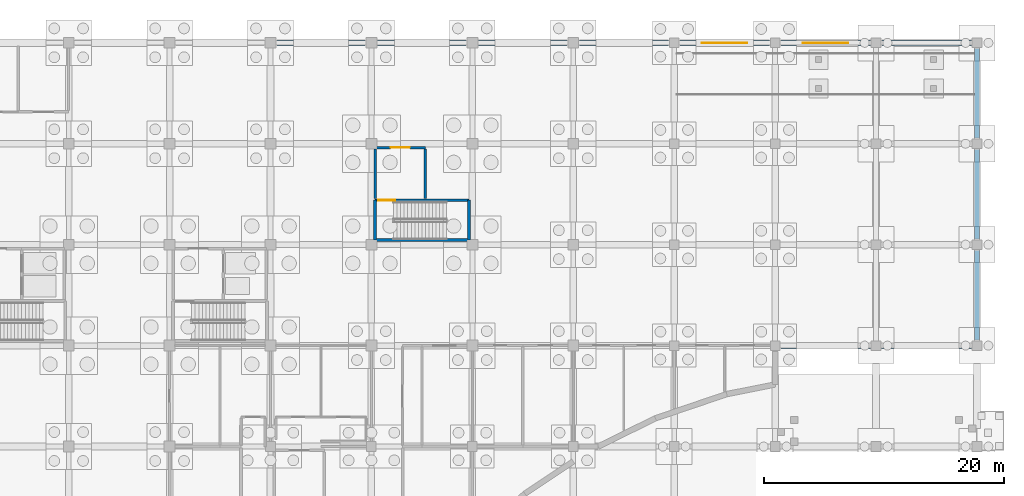
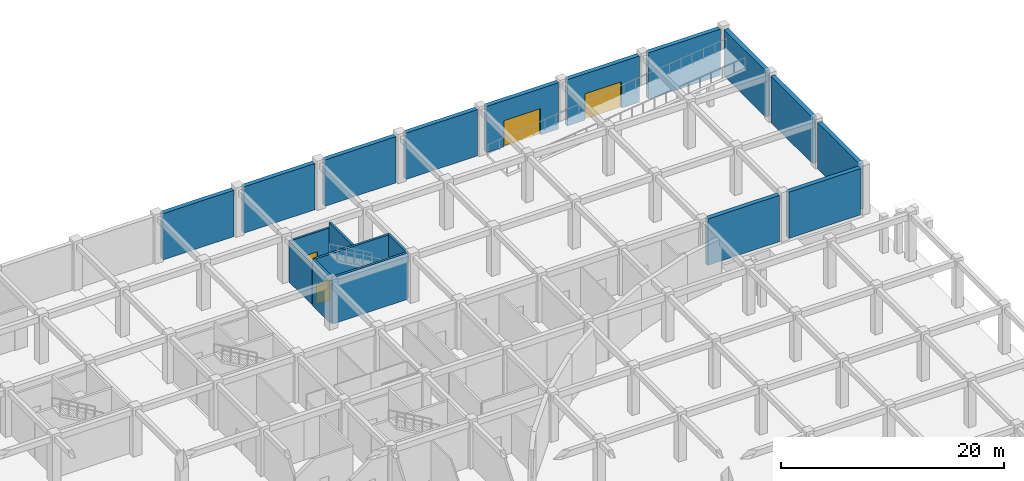
# One storey, part 50 of 65: 19 walls, 4 doors, 4 openings.
"""IFC4 building model written with IfcOpenShell, lengths in metres."""

from ifc_helpers import new_model, si_unit, direction, frame, frame_2d, origin, place, context, subcontext, project, spatial, rectangle, extrude, material, layer, layer_set, type_object, element, fill, save


model = new_model("IFC4")

# Units and contexts
model_context = context("Model", 3, precision=1e-05, world=origin(), true_north=direction((0.0, 1.0)))
body_context = subcontext(model_context, "Body", "Model", "MODEL_VIEW")
ifc_project = project(units=[si_unit("LENGTHUNIT", "METRE"), si_unit("AREAUNIT", "SQUARE_METRE"), si_unit("VOLUMEUNIT", "CUBIC_METRE"), si_unit("PLANEANGLEUNIT", "RADIAN"), si_unit("MASSUNIT", "GRAM", prefix="KILO")], contexts=[model_context])

# Site, building, storey
site_placement = place(None, origin())
site = spatial("IfcSite", under=ifc_project, at=site_placement, CompositionType="ELEMENT")
building_placement = place(site_placement, origin())
building = spatial("IfcBuilding", under=site, at=building_placement, Name="Bramfleet General Hospital", CompositionType="ELEMENT")
storey_placement = place(building_placement, frame((0.0, 0.0, -5.39990234375)))
storey = spatial("IfcBuildingStorey", under=building, at=storey_placement, Name="B1", CompositionType="ELEMENT", Elevation=-5.39990234375)

# Walls
ifc_material_1 = material(Name="Concrete C35/45", Category="concrete")
ifc_layer_1 = layer(ifc_material_1, 0.449951171875, Name="WT-EW-01")
ifc_layer_set_1 = layer_set([ifc_layer_1], Name="Concrete C35/45")
wall_type_1 = type_object("IfcWallType", Name="WT-EW-01", PredefinedType="SOLIDWALL", material=ifc_layer_set_1)
wall_1_placement = place(storey_placement, frame((126.52490234375, 117.60009765625, 0.0), z_axis=(0.0, 0.0, 1.0), x_axis=(1.0, 0.0, 0.0)))
element("IfcWall", 1, at=wall_1_placement, inside=storey, type_object=wall_type_1, Name="B1 Waterproof Retaining Wall 23", PredefinedType="SOLIDWALL", context=body_context, shape_type="SweptSolid", body=[
    extrude(rectangle(XDim=7.35009765625, YDim=0.449951171875, at=frame_2d((3.675048828125, 0.0))), origin(), (0.0, 0.0, 1.0), 5.079833984375),
])
wall_2_placement = place(storey_placement, frame((134.925048828125, 117.60009765625, 0.0), z_axis=(0.0, 0.0, 1.0), x_axis=(1.0, 0.0, 0.0)))
element("IfcWall", 2, at=wall_2_placement, inside=storey, type_object=wall_type_1, Name="B1 Waterproof Retaining Wall 24", PredefinedType="SOLIDWALL", context=body_context, shape_type="SweptSolid", body=[
    extrude(rectangle(XDim=7.349853515625, YDim=0.449951171875, at=frame_2d((3.6748046875, 0.0))), origin(), (0.0, 0.0, 1.0), 5.079833984375),
])
wall_3_placement = place(storey_placement, frame((143.324951171875, 117.60009765625, 0.0), z_axis=(0.0, 0.0, 1.0), x_axis=(1.0, 0.0, 0.0)))
element("IfcWall", 3, at=wall_3_placement, inside=storey, type_object=wall_type_1, Name="B1 Waterproof Retaining Wall 25", PredefinedType="SOLIDWALL", context=body_context, shape_type="SweptSolid", body=[
    extrude(rectangle(XDim=7.35009765625, YDim=0.449951171875, at=frame_2d((3.675048828125, 0.0))), origin(), (0.0, 0.0, 1.0), 5.079833984375),
])
wall_4_placement = place(storey_placement, frame((151.72509765625, 117.60009765625, 0.0), z_axis=(0.0, 0.0, 1.0), x_axis=(1.0, 0.0, 0.0)))
element("IfcWall", 4, at=wall_4_placement, inside=storey, type_object=wall_type_1, Name="B1 Waterproof Retaining Wall 26", PredefinedType="SOLIDWALL", context=body_context, shape_type="SweptSolid", body=[
    extrude(rectangle(XDim=7.39990234375, YDim=0.449951171875, at=frame_2d((3.699951171875, 0.0))), origin(), (0.0, 0.0, 1.0), 5.079833984375),
])

# Wall, opening, door
wall_5_placement = place(storey_placement, frame((160.074951171875, 117.60009765625, 0.0), z_axis=(0.0, 0.0, 1.0), x_axis=(1.0, 0.0, 0.0)))
wall_5 = element("IfcWall", 5, at=wall_5_placement, inside=storey, type_object=wall_type_1, Name="B1 Waterproof Retaining Wall 27", PredefinedType="SOLIDWALL", context=body_context, shape_type="SweptSolid", body=[
    extrude(rectangle(XDim=7.449951171875, YDim=0.449951171875, at=frame_2d((3.72509765625, 0.0))), origin(), (0.0, 0.0, 1.0), 5.079833984375),
])
opening_1_placement = place(wall_5_placement, frame((1.824951171875, 0.0, 0.0)))
opening_1 = element("IfcOpeningElement", 6, at=opening_1_placement, cuts=wall_5, Name="Opening VG-01", PredefinedType="OPENING", context=body_context, shape_type="SweptSolid", body=[
    extrude(rectangle(XDim=3.800048828125, YDim=2.89990234375, at=frame_2d((1.89990234375, 1.449951171875))), frame((0.0, 0.23486328125, 0.0), z_axis=(0.0, -1.0, 0.0), x_axis=(1.0, 0.0, 0.0)), (0.0, 0.0, 1.0), 0.469970703125),
])
ifc_material_2 = material(Name="Thermally broken steel and laminated safety glass", Category="steel")
door_type_1 = type_object("IfcDoorType", Name="DR-VG-T2", OperationType="NOTDEFINED", PredefinedType="GATE", material=ifc_material_2)
door_1_placement = place(opening_1_placement, origin())
door_1 = element("IfcDoor", 7, at=door_1_placement, inside=storey, type_object=door_type_1, Name="Basement Car-Park Flood Shutter Gate VG-01", OperationType="ROLLINGUP", OverallHeight=2.89990234375, OverallWidth=3.800048828125, PredefinedType="GATE", context=body_context, shape_type="SweptSolid", body=[
    extrude(rectangle(XDim=3.800048828125, YDim=2.89990234375, at=frame_2d((1.89990234375, 1.449951171875))), frame((0.0, 0.02490234375, 0.0), z_axis=(0.0, -1.0, 0.0), x_axis=(1.0, 0.0, 0.0)), (0.0, 0.0, 1.0), 0.050048828125),
])
fill(opening_1, door_1)

wall_6_placement = place(storey_placement, frame((168.47509765625, 117.60009765625, 0.0), z_axis=(0.0, 0.0, 1.0), x_axis=(1.0, 0.0, 0.0)))
wall_6 = element("IfcWall", 8, at=wall_6_placement, inside=storey, type_object=wall_type_1, Name="B1 Waterproof Retaining Wall 28", PredefinedType="SOLIDWALL", context=body_context, shape_type="SweptSolid", body=[
    extrude(rectangle(XDim=7.449951171875, YDim=0.449951171875, at=frame_2d((3.72509765625, 0.0))), origin(), (0.0, 0.0, 1.0), 5.079833984375),
])
opening_2_placement = place(wall_6_placement, frame((1.824951171875, 0.0, 0.0)))
opening_2 = element("IfcOpeningElement", 9, at=opening_2_placement, cuts=wall_6, Name="Opening VG-02", PredefinedType="OPENING", context=body_context, shape_type="SweptSolid", body=[
    extrude(rectangle(XDim=3.800048828125, YDim=2.89990234375, at=frame_2d((1.89990234375, 1.449951171875))), frame((0.0, 0.23486328125, 0.0), z_axis=(0.0, -1.0, 0.0), x_axis=(1.0, 0.0, 0.0)), (0.0, 0.0, 1.0), 0.469970703125),
])
door_2_placement = place(opening_2_placement, origin())
door_2 = element("IfcDoor", 10, at=door_2_placement, inside=storey, type_object=door_type_1, Name="Basement Car-Park Flood Shutter Gate VG-02", OperationType="ROLLINGUP", OverallHeight=2.89990234375, OverallWidth=3.800048828125, PredefinedType="GATE", context=body_context, shape_type="SweptSolid", body=[
    extrude(rectangle(XDim=3.800048828125, YDim=2.89990234375, at=frame_2d((1.89990234375, 1.449951171875))), frame((0.0, 0.02490234375, 0.0), z_axis=(0.0, -1.0, 0.0), x_axis=(1.0, 0.0, 0.0)), (0.0, 0.0, 1.0), 0.050048828125),
])
fill(opening_2, door_2)

# Walls
for number, where, z_axis, x_axis, name in (
    (11, (176.875, 117.60009765625, 0.0), (0.0, 0.0, 1.0), (1.0, 0.0, 0.0), "B1 Waterproof Retaining Wall 29"),
    (12, (184.800048828125, 117.125, 0.0), (0.0, 0.0, 1.0), (0.0, -1.0, 0.0), "B1 Waterproof Retaining Wall 30"),
):
    element("IfcWall", number, at=place(storey_placement, frame(where, z_axis=z_axis, x_axis=x_axis)), inside=storey, type_object=wall_type_1, Name=name, PredefinedType="SOLIDWALL", context=body_context, shape_type="SweptSolid", body=[
        extrude(rectangle(XDim=7.449951171875, YDim=0.449951171875, at=frame_2d((3.72509765625, 0.0))), origin(), (0.0, 0.0, 1.0), 5.079833984375),
    ])
wall_7_placement = place(storey_placement, frame((184.800048828125, 108.72509765625, 0.0), z_axis=(0.0, 0.0, 1.0), x_axis=(0.0, -1.0, 0.0)))
element("IfcWall", 13, at=wall_7_placement, inside=storey, type_object=wall_type_1, Name="B1 Waterproof Retaining Wall 31", PredefinedType="SOLIDWALL", context=body_context, shape_type="SweptSolid", body=[
    extrude(rectangle(XDim=7.4501953125, YDim=0.449951171875, at=frame_2d((3.72509765625, 0.0))), origin(), (0.0, 0.0, 1.0), 5.079833984375),
])
for number, where, z_axis, x_axis, name in (
    (14, (184.800048828125, 100.324951171875, 0.0), (0.0, 0.0, 1.0), (0.0, -1.0, 0.0), "B1 Waterproof Retaining Wall 32"),
    (15, (184.324951171875, 92.39990234375, 0.0), (0.0, 0.0, 1.0), (-1.0, 0.0, 0.0), "B1 Waterproof Retaining Wall 33"),
    (16, (175.925048828125, 92.39990234375, 0.0), (0.0, 0.0, 1.0), (-1.0, 0.0, 0.0), "B1 Waterproof Retaining Wall 34"),
):
    element("IfcWall", number, at=place(storey_placement, frame(where, z_axis=z_axis, x_axis=x_axis)), inside=storey, type_object=wall_type_1, Name=name, PredefinedType="SOLIDWALL", context=body_context, shape_type="SweptSolid", body=[
        extrude(rectangle(XDim=7.449951171875, YDim=0.449951171875, at=frame_2d((3.72509765625, 0.0))), origin(), (0.0, 0.0, 1.0), 5.079833984375),
    ])
ifc_layer_2 = layer(ifc_material_1, 0.205078125, Name="WT-IW-02")
ifc_layer_set_2 = layer_set([ifc_layer_2], Name="Concrete C35/45")
wall_type_2 = type_object("IfcWallType", Name="WT-IW-02", PredefinedType="PARTITIONING", material=ifc_layer_set_2)
wall_8_placement = place(storey_placement, frame((138.8798828125, 104.639892578125, 0.0), z_axis=(0.0, 0.0, 1.0), x_axis=(0.0, 1.0, 0.0)))
element("IfcWall", 17, at=wall_8_placement, inside=storey, type_object=wall_type_2, Name="B1 C9 Lobby East Shaft Wall", PredefinedType="PARTITIONING", context=body_context, shape_type="SweptSolid", body=[
    extrude(rectangle(XDim=4.1201171875, YDim=0.205078125, at=frame_2d((2.06005859375, 0.0))), origin(), (0.0, 0.0, 1.0), 5.06982421875),
])
wall_9_placement = place(storey_placement, frame((134.699951171875, 104.639892578125, 0.0), z_axis=(0.0, 0.0, 1.0), x_axis=(0.0, 1.0, 0.0)))
element("IfcWall", 18, at=wall_9_placement, inside=storey, type_object=wall_type_2, Name="B1 C9 Lobby West Compartment Wall", PredefinedType="PARTITIONING", context=body_context, shape_type="SweptSolid", body=[
    extrude(rectangle(XDim=4.1201171875, YDim=0.205078125, at=frame_2d((2.06005859375, 0.0))), origin(), (0.0, 0.0, 1.0), 4.469970703125),
])

# Wall, opening, door
wall_10_placement = place(storey_placement, frame((134.699951171875, 108.8798828125, 0.0), z_axis=(0.0, 0.0, 1.0), x_axis=(1.0, 0.0, 0.0)))
wall_10 = element("IfcWall", 19, at=wall_10_placement, inside=storey, type_object=wall_type_2, Name="B1 C9 Lobby North Compartment Wall", PredefinedType="PARTITIONING", context=body_context, shape_type="SweptSolid", body=[
    extrude(rectangle(XDim=4.179931640625, YDim=0.205078125, at=frame_2d((2.08984375, 0.0))), origin(), (0.0, 0.0, 1.0), 4.419921875),
])
opening_3_placement = place(wall_10_placement, frame((1.2900390625, 0.0, 0.0)))
opening_3 = element("IfcOpeningElement", 20, at=opening_3_placement, cuts=wall_10, Name="Opening D0108", PredefinedType="OPENING", context=body_context, shape_type="SweptSolid", body=[
    extrude(rectangle(XDim=1.60009765625, YDim=2.25, at=frame_2d((0.800048828125, 1.125))), frame((0.0, 0.112548828125, 0.0), z_axis=(0.0, -1.0, 0.0), x_axis=(1.0, 0.0, 0.0)), (0.0, 0.0, 1.0), 0.22509765625),
])
ifc_material_3 = material(Name="Stainless steel and acoustic timber leaf", Category="steel")
door_type_2 = type_object("IfcDoorType", Name="DR-D-04", OperationType="NOTDEFINED", PredefinedType="DOOR", material=ifc_material_3)
door_3_placement = place(opening_3_placement, origin())
door_3 = element("IfcDoor", 21, at=door_3_placement, inside=storey, type_object=door_type_2, Name="B1 C9 Lobby Fire Door D0108", OperationType="DOUBLE_SWING_LEFT", OverallHeight=2.25, OverallWidth=1.60009765625, PredefinedType="DOOR", context=body_context, shape_type="SweptSolid", body=[
    extrude(rectangle(XDim=1.60009765625, YDim=2.25, at=frame_2d((0.800048828125, 1.125))), frame((0.0, 0.02490234375, 0.0), z_axis=(0.0, -1.0, 0.0), x_axis=(1.0, 0.0, 0.0)), (0.0, 0.0, 1.0), 0.050048828125),
])
fill(opening_3, door_3)

# Walls
ifc_material_4 = material(Name="Concrete C40/50", Category="concrete")
ifc_layer_3 = layer(ifc_material_4, 0.239990234375, Name="WT-SW-240")
ifc_layer_set_3 = layer_set([ifc_layer_3], Name="Concrete C40/50")
wall_type_3 = type_object("IfcWallType", Name="WT-SW-240", PredefinedType="SHEAR", material=ifc_layer_set_3)
wall_11_placement = place(storey_placement, frame((134.699951171875, 101.179931640625, 0.0), z_axis=(0.0, 0.0, 1.0), x_axis=(1.0, 0.0, 0.0)))
element("IfcWall", 22, at=wall_11_placement, inside=storey, type_object=wall_type_3, Name="B1 C9 South Stair Shear Wall", PredefinedType="SHEAR", context=body_context, shape_type="SweptSolid", body=[
    extrude(rectangle(XDim=7.820068359375, YDim=0.239990234375, at=frame_2d((3.91015625, 0.0))), origin(), (0.0, 0.0, 1.0), 5.079833984375),
])
for number, where, z_axis, x_axis, name in (
    (23, (134.699951171875, 101.179931640625, 0.0), (0.0, 0.0, 1.0), (0.0, 1.0, 0.0), "B1 C9 West Stair Shear Wall"),
    (24, (142.52001953125, 101.179931640625, 0.0), (0.0, 0.0, 1.0), (0.0, 1.0, 0.0), "B1 C9 East Stair Shear Wall"),
):
    element("IfcWall", number, at=place(storey_placement, frame(where, z_axis=z_axis, x_axis=x_axis)), inside=storey, type_object=wall_type_3, Name=name, PredefinedType="SHEAR", context=body_context, shape_type="SweptSolid", body=[
        extrude(rectangle(XDim=3.320068359375, YDim=0.239990234375, at=frame_2d((1.66015625, 0.0))), origin(), (0.0, 0.0, 1.0), 5.079833984375),
    ])

# Wall, opening, door
wall_12_placement = place(storey_placement, frame((134.699951171875, 104.5, 0.0), z_axis=(0.0, 0.0, 1.0), x_axis=(1.0, 0.0, 0.0)))
wall_12 = element("IfcWall", 25, at=wall_12_placement, inside=storey, type_object=wall_type_3, Name="B1 C9 Stair-Lobby Shear Wall", PredefinedType="SHEAR", context=body_context, shape_type="SweptSolid", body=[
    extrude(rectangle(XDim=7.820068359375, YDim=0.239990234375, at=frame_2d((3.91015625, 0.0))), origin(), (0.0, 0.0, 1.0), 5.079833984375),
])
opening_4_placement = place(wall_12_placement, frame((0.25, 0.0, 0.0)))
opening_4 = element("IfcOpeningElement", 26, at=opening_4_placement, cuts=wall_12, Name="Opening D0107", PredefinedType="OPENING", context=body_context, shape_type="SweptSolid", body=[
    extrude(rectangle(XDim=1.449951171875, YDim=2.199951171875, at=frame_2d((0.72509765625, 1.10009765625))), frame((0.0, 0.1298828125, 0.0), z_axis=(0.0, -1.0, 0.0), x_axis=(1.0, 0.0, 0.0)), (0.0, 0.0, 1.0), 0.260009765625),
])
door_type_3 = type_object("IfcDoorType", Name="DR-D-03", OperationType="NOTDEFINED", PredefinedType="DOOR", material=ifc_material_3)
door_4_placement = place(opening_4_placement, origin())
door_4 = element("IfcDoor", 27, at=door_4_placement, inside=storey, type_object=door_type_3, Name="B1 C9 Escape Stair Fire Door D0107", OperationType="SINGLE_SWING_RIGHT", OverallHeight=2.199951171875, OverallWidth=1.449951171875, PredefinedType="DOOR", context=body_context, shape_type="SweptSolid", body=[
    extrude(rectangle(XDim=1.449951171875, YDim=2.199951171875, at=frame_2d((0.72509765625, 1.10009765625))), frame((0.0, 0.02490234375, 0.0), z_axis=(0.0, -1.0, 0.0), x_axis=(1.0, 0.0, 0.0)), (0.0, 0.0, 1.0), 0.050048828125),
])
fill(opening_4, door_4)

save(model, "model.ifc")
